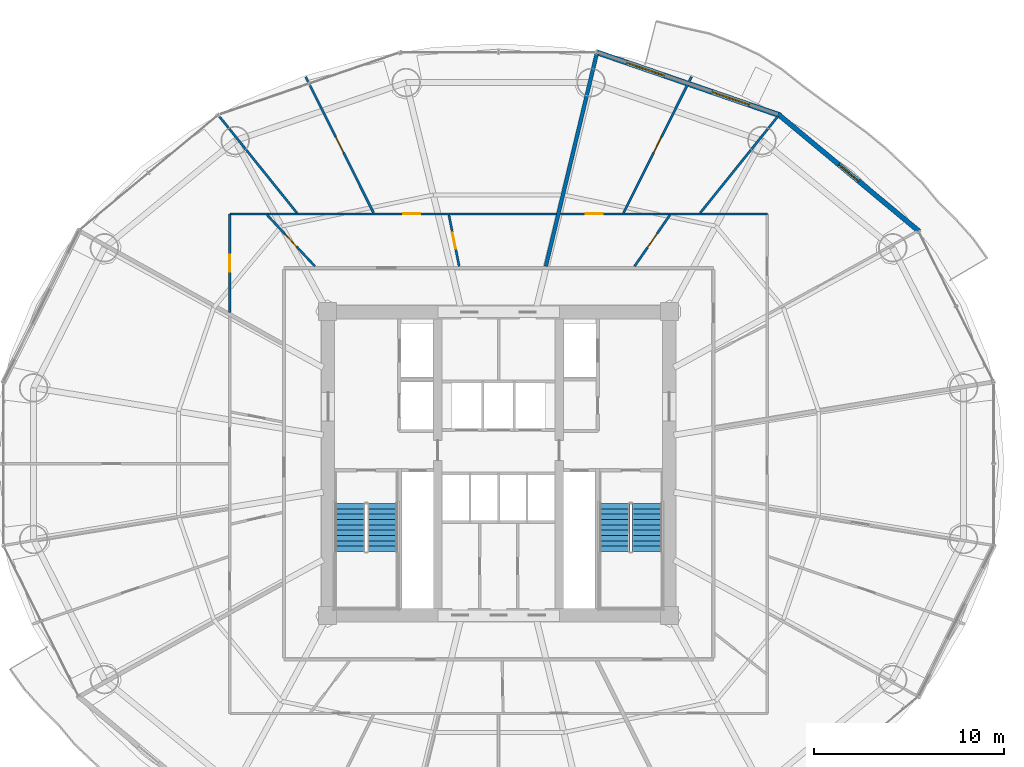
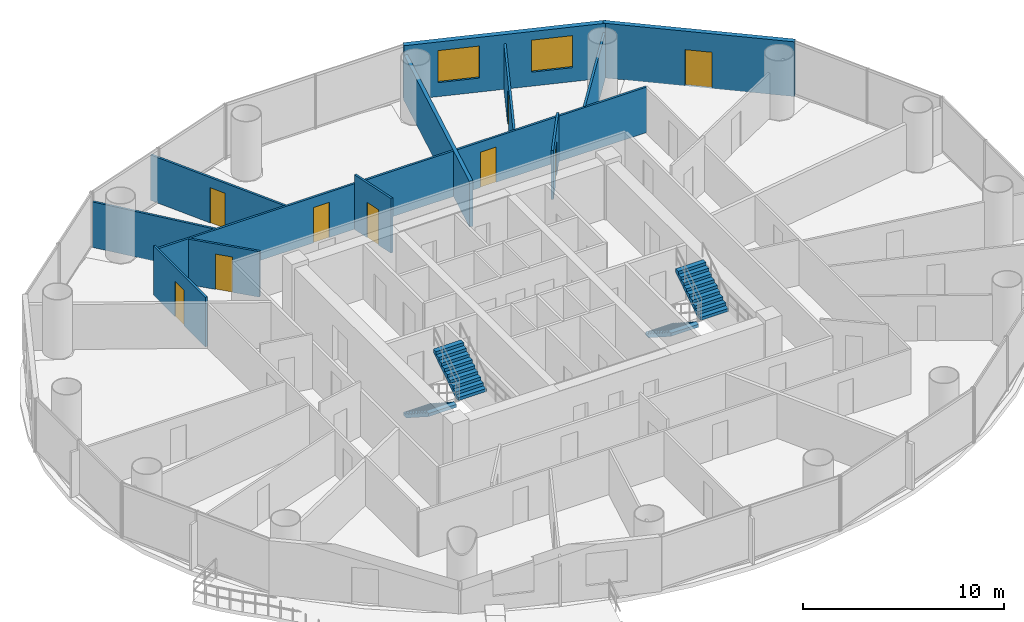
# One storey, part 24 of 28: 13 walls, 9 doors, 4 stair flights, 2 windows, 11 openings, 2 elements without a shape of their own.
"""IFC4 building model written with IfcOpenShell, lengths in metres."""

from ifc_helpers import new_model, si_unit, direction, frame, frame_2d, origin, place, context, subcontext, project, spatial, polyline, rectangle, outline, extrude, source, transform, mapped, material, layer, layer_set, type_object, element, fill, aggregate, save


model = new_model("IFC4")

# Units and contexts
model_context = context("Model", 3, precision=1e-05, world=origin(), true_north=direction((-0.2419218956, 0.970295726276)))
body_context = subcontext(model_context, "Body", "Model", "MODEL_VIEW")
ifc_project = project(units=[si_unit("LENGTHUNIT", "METRE"), si_unit("AREAUNIT", "SQUARE_METRE"), si_unit("VOLUMEUNIT", "CUBIC_METRE"), si_unit("PLANEANGLEUNIT", "RADIAN"), si_unit("MASSUNIT", "GRAM", prefix="KILO")], contexts=[model_context])

# Site, building, storey
site_placement = place(None, origin())
site = spatial("IfcSite", under=ifc_project, at=site_placement, CompositionType="ELEMENT")
building_placement = place(site_placement, origin())
building = spatial("IfcBuilding", under=site, at=building_placement, Name="Cobrevalo Terracotta Tower", CompositionType="ELEMENT")
storey_placement = place(building_placement, frame((0.0, 0.0, 105.0)))
storey = spatial("IfcBuildingStorey", under=building, at=storey_placement, Name="L27", CompositionType="ELEMENT", Elevation=105.0)

# Wall
ifc_material_1 = material(Name="Autoclaved aerated concrete block", Category="concrete")
ifc_layer_1 = layer(ifc_material_1, 0.199951171875)
ifc_layer_set_1 = layer_set([ifc_layer_1], Name="Autoclaved aerated concrete block")
wall_type_1 = type_object("IfcWallType", Name="Fire-rated stair, shaft & demising masonry wall 200 mm", PredefinedType="PARTITIONING", material=ifc_layer_set_1)
wall_1_placement = place(storey_placement, frame((40.486328125, 37.18505859375, 0.0), z_axis=(0.0, 0.0, 1.0), x_axis=(0.232834224261, 0.972516438942, 0.0)))
element("IfcWall", 1, at=wall_1_placement, inside=storey, type_object=wall_type_1, Name="L27 interior partition IW-L27-DEM-2", PredefinedType="PARTITIONING", context=body_context, shape_type="SweptSolid", body=[
    extrude(rectangle(XDim=11.501708984375, YDim=0.199951171875, at=frame_2d((5.7509765625, 0.0))), origin(), (0.0, 0.0, 1.0), 2.76708984375),
])

# Wall, openings, windows
ifc_layer_2 = layer(ifc_material_1, 0.280029296875)
ifc_layer_set_2 = layer_set([ifc_layer_2], Name="Autoclaved aerated concrete block")
wall_type_2 = type_object("IfcWallType", Name="Insulated tower spandrel & pier wall 280 mm with terracotta rainscreen", PredefinedType="SOLIDWALL", material=ifc_layer_set_2)
wall_2_placement = place(storey_placement, frame((52.837158203125, 45.12451171875, 0.0), z_axis=(0.0, 0.0, 1.0), x_axis=(-0.945597432299, 0.325339047809, 0.0)))
wall_2 = element("IfcWall", 2, at=wall_2_placement, inside=storey, type_object=wall_type_2, Name="L27 terracotta rainscreen pier wall S03", PredefinedType="SOLIDWALL", context=body_context, shape_type="SweptSolid", body=[
    extrude(rectangle(XDim=10.2890625, YDim=0.280029296875, at=frame_2d((5.14453125, 0.0))), origin(), (0.0, 0.0, 1.0), 3.324951171875),
])
opening_1_placement = place(wall_2_placement, frame((1.72802734375, 0.0, 0.85009765625)))
opening_1 = element("IfcOpeningElement", 3, at=opening_1_placement, cuts=wall_2, Name="Opening WN-10", PredefinedType="OPENING", context=body_context, shape_type="SweptSolid", body=[
    extrude(rectangle(XDim=2.10009765625, YDim=1.949951171875, at=frame_2d((1.050048828125, 0.97509765625))), frame((0.0, 0.14990234375, 0.0), z_axis=(0.0, -1.0, 0.0), x_axis=(1.0, 0.0, 0.0)), (0.0, 0.0, 1.0), 0.300048828125),
])
opening_2_placement = place(wall_2_placement, frame((6.4609375, 0.0, 0.85009765625)))
opening_2 = element("IfcOpeningElement", 4, at=opening_2_placement, cuts=wall_2, Name="Opening WN-10", PredefinedType="OPENING", context=body_context, shape_type="SweptSolid", body=[
    extrude(rectangle(XDim=2.10009765625, YDim=1.949951171875, at=frame_2d((1.050048828125, 0.97509765625))), frame((0.0, 0.14990234375, 0.0), z_axis=(0.0, -1.0, 0.0), x_axis=(1.0, 0.0, 0.0)), (0.0, 0.0, 1.0), 0.300048828125),
])
ifc_material_2 = material(Name="Solar-control low-E double glazing", Category="glass")
window_type = type_object("IfcWindowType", Name="Wide panoramic low-E aluminium window 2100x1950", PartitioningType="SINGLE_PANEL", PredefinedType="WINDOW", material=ifc_material_2)
shared_shape_1 = source(origin(), body_context, "Body", "SweptSolid", [
    extrude(rectangle(XDim=2.10009765625, YDim=1.949951171875, at=frame_2d((1.050048828125, 0.97509765625))), frame((0.0, 0.030029296875, 0.0), z_axis=(0.0, -1.0, 0.0), x_axis=(1.0, 0.0, 0.0)), (0.0, 0.0, 1.0), 0.06005859375),
])
window_1_placement = place(opening_1_placement, origin())
window_1 = element("IfcWindow", 5, at=window_1_placement, inside=storey, type_object=window_type, Name="L27 suite window S03A", OverallHeight=1.949951171875, OverallWidth=2.10009765625, PartitioningType="SINGLE_PANEL", PredefinedType="WINDOW", context=body_context, shape_type="MappedRepresentation", body=[
    mapped(shared_shape_1, transform((0.0, 0.0, 0.0), scale=1.0)),
])
fill(opening_1, window_1)
window_2_placement = place(opening_2_placement, origin())
window_2 = element("IfcWindow", 6, at=window_2_placement, inside=storey, type_object=window_type, Name="L27 suite window S03B", OverallHeight=1.949951171875, OverallWidth=2.10009765625, PartitioningType="SINGLE_PANEL", PredefinedType="WINDOW", context=body_context, shape_type="MappedRepresentation", body=[
    mapped(shared_shape_1, transform((0.0, 0.0, 0.0), scale=1.0)),
])
fill(opening_2, window_2)

# Wall, opening, door
ifc_layer_3 = layer(ifc_material_1, 0.260009765625)
ifc_layer_set_3 = layer_set([ifc_layer_3], Name="Autoclaved aerated concrete block")
wall_type_3 = type_object("IfcWallType", Name="Recessed balcony loggia insulated exterior wall 260 mm", PredefinedType="SOLIDWALL", material=ifc_layer_set_3)
wall_3_placement = place(storey_placement, frame((60.15380859375, 39.01025390625, 0.0), z_axis=(0.0, 0.0, 1.0), x_axis=(-0.769242574941, 0.638956853706, 0.0)))
wall_3 = element("IfcWall", 7, at=wall_3_placement, inside=storey, type_object=wall_type_3, Name="L27 balcony loggia wall S02", PredefinedType="SOLIDWALL", context=body_context, shape_type="SweptSolid", body=[
    extrude(rectangle(XDim=9.68994140625, YDim=0.260009765625, at=frame_2d((4.844970703125, 0.0))), origin(), (0.0, 0.0, 1.0), 3.324951171875),
])
opening_3_placement = place(wall_3_placement, frame((4.169921875, 0.0, 0.0)))
opening_3 = element("IfcOpeningElement", 8, at=opening_3_placement, cuts=wall_3, Name="Opening ED-05", PredefinedType="OPENING", context=body_context, shape_type="SweptSolid", body=[
    extrude(rectangle(XDim=1.35009765625, YDim=2.199951171875, at=frame_2d((0.675048828125, 1.10009765625))), frame((0.0, 0.14013671875, 0.0), z_axis=(0.0, -1.0, 0.0), x_axis=(1.0, 0.0, 0.0)), (0.0, 0.0, 1.0), 0.280029296875),
])
ifc_material_3 = material(Name="Anodized aluminium and laminated glass", Category="aluminium")
door_type_1 = type_object("IfcDoorType", Name="Suite balcony acoustic glazed terrace door 1350x2200", OperationType="NOTDEFINED", PredefinedType="DOOR", material=ifc_material_3)
shared_shape_2 = source(origin(), body_context, "Body", "SweptSolid", [
    extrude(rectangle(XDim=1.35009765625, YDim=2.199951171875, at=frame_2d((0.675048828125, 1.10009765625))), frame((0.0, 0.02490234375, 0.0), z_axis=(0.0, -1.0, 0.0), x_axis=(1.0, 0.0, 0.0)), (0.0, 0.0, 1.0), 0.050048828125),
])
door_1_placement = place(opening_3_placement, frame((1.35009765625, 0.0, 0.0), z_axis=(0.0, 0.0, 1.0), x_axis=(-1.0, 0.0, 0.0)))
door_1 = element("IfcDoor", 9, at=door_1_placement, inside=storey, type_object=door_type_1, Name="L27 glazed balcony terrace door 1", OperationType="SINGLE_SWING_LEFT", OverallHeight=2.199951171875, OverallWidth=1.35009765625, PredefinedType="DOOR", context=body_context, shape_type="MappedRepresentation", body=[
    mapped(shared_shape_2, transform((0.0, 0.0, 0.0), scale=1.0)),
])
fill(opening_3, door_1)

ifc_material_4 = material(Name="Gypsum board on steel stud", Category="steel")
ifc_layer_4 = layer(ifc_material_4, 0.1201171875)
ifc_layer_set_4 = layer_set([ifc_layer_4], Name="Gypsum board on steel stud")
wall_type_4 = type_object("IfcWallType", Name="Residential internal acoustic stud partition 120 mm", PredefinedType="PARTITIONING", material=ifc_layer_set_4)
wall_4_placement = place(storey_placement, frame((41.2490234375, 39.945068359375, 0.0), z_axis=(0.0, 0.0, 1.0), x_axis=(1.0, 0.0, 0.0)))
wall_4 = element("IfcWall", 10, at=wall_4_placement, inside=storey, type_object=wall_type_4, Name="L27 interior partition IW-L27-U1-RING0_0", PredefinedType="PARTITIONING", context=body_context, shape_type="SweptSolid", body=[
    extrude(rectangle(XDim=10.89599609375, YDim=0.1201171875, at=frame_2d((5.447998046875, 0.0))), origin(), (0.0, 0.0, 1.0), 2.76708984375),
])
opening_4_placement = place(wall_4_placement, frame((1.336181640625, 0.0, 0.0)))
opening_4 = element("IfcOpeningElement", 11, at=opening_4_placement, cuts=wall_4, Name="Opening ID-12", PredefinedType="OPENING", context=body_context, shape_type="SweptSolid", body=[
    extrude(rectangle(XDim=0.89990234375, YDim=2.14990234375, at=frame_2d((0.449951171875, 1.074951171875))), frame((0.0, 0.070068359375, 0.0), z_axis=(0.0, -1.0, 0.0), x_axis=(1.0, 0.0, 0.0)), (0.0, 0.0, 1.0), 0.14013671875),
])
ifc_material_5 = material(Name="Engineered timber", Category="wood")
door_type_2 = type_object("IfcDoorType", Name="Internal residence & suite timber door 900x2150", OperationType="NOTDEFINED", PredefinedType="DOOR", material=ifc_material_5)
shared_shape_3 = source(origin(), body_context, "Body", "SweptSolid", [
    extrude(rectangle(XDim=0.89990234375, YDim=2.14990234375, at=frame_2d((0.449951171875, 1.074951171875))), frame((0.0, 0.02490234375, 0.0), z_axis=(0.0, -1.0, 0.0), x_axis=(1.0, 0.0, 0.0)), (0.0, 0.0, 1.0), 0.050048828125),
])
door_2_placement = place(opening_4_placement, origin())
door_2 = element("IfcDoor", 12, at=door_2_placement, inside=storey, type_object=door_type_2, Name="Flat L27A Penthouse Family Lounge internal door", OperationType="SINGLE_SWING_LEFT", OverallHeight=2.14990234375, OverallWidth=0.89990234375, PredefinedType="DOOR", context=body_context, shape_type="MappedRepresentation", body=[
    mapped(shared_shape_3, transform((0.0, 0.0, 0.0), scale=1.0)),
])
fill(opening_4, door_2)

# Wall
wall_5_placement = place(storey_placement, frame((48.610595703125, 39.993408203125, 0.0), z_axis=(0.0, 0.0, 1.0), x_axis=(0.626719700294, 0.779244773651, 0.0)))
element("IfcWall", 13, at=wall_5_placement, inside=storey, type_object=wall_type_4, Name="L27 interior partition IW-L27-U1-ORAD2", PredefinedType="PARTITIONING", context=body_context, shape_type="SweptSolid", body=[
    extrude(rectangle(XDim=6.537109375, YDim=0.1201171875, at=frame_2d((3.2685546875, 0.0))), origin(), (0.0, 0.0, 1.0), 2.76708984375),
])

# Wall, opening, door
wall_6_placement = place(storey_placement, frame((44.5810546875, 40.00048828125, 0.0), z_axis=(0.0, 0.0, 1.0), x_axis=(0.446188142997, 0.894939182877, 0.0)))
wall_6 = element("IfcWall", 14, at=wall_6_placement, inside=storey, type_object=wall_type_4, Name="L27 interior partition IW-L27-U1-ORAD3M1", PredefinedType="PARTITIONING", context=body_context, shape_type="SweptSolid", body=[
    extrude(rectangle(XDim=8.001708984375, YDim=0.1201171875, at=frame_2d((4.0009765625, 0.0))), origin(), (0.0, 0.0, 1.0), 2.76708984375),
])
opening_5_placement = place(wall_6_placement, frame((3.55078125, 0.0, 0.0)))
opening_5 = element("IfcOpeningElement", 15, at=opening_5_placement, cuts=wall_6, Name="Opening ID-12", PredefinedType="OPENING", context=body_context, shape_type="SweptSolid", body=[
    extrude(rectangle(XDim=0.89990234375, YDim=2.14990234375, at=frame_2d((0.449951171875, 1.074951171875))), frame((0.0, 0.070068359375, 0.0), z_axis=(0.0, -1.0, 0.0), x_axis=(1.0, 0.0, 0.0)), (0.0, 0.0, 1.0), 0.14013671875),
])
door_3_placement = place(opening_5_placement, frame((0.89990234375, 0.0, 0.0), z_axis=(0.0, 0.0, 1.0), x_axis=(-1.0, 0.0, 0.0)))
door_3 = element("IfcDoor", 16, at=door_3_placement, inside=storey, type_object=door_type_2, Name="Flat L27A Principal Guest Bedroom internal door", OperationType="SINGLE_SWING_LEFT", OverallHeight=2.14990234375, OverallWidth=0.89990234375, PredefinedType="DOOR", context=body_context, shape_type="MappedRepresentation", body=[
    mapped(shared_shape_3, transform((0.0, 0.0, 0.0), scale=1.0)),
])
fill(opening_5, door_3)

wall_7_placement = place(storey_placement, frame((45.1552734375, 37.18505859375, 0.0), z_axis=(0.0, 0.0, 1.0), x_axis=(0.567360037454, 0.823469846382, 0.0)))
wall_7 = element("IfcWall", 17, at=wall_7_placement, inside=storey, type_object=wall_type_4, Name="L27 interior partition IW-L27-U1-IRAD2", PredefinedType="PARTITIONING", context=body_context, shape_type="SweptSolid", body=[
    extrude(rectangle(XDim=3.289794921875, YDim=0.1201171875, at=frame_2d((1.64501953125, 0.0))), origin(), (0.0, 0.0, 1.0), 3.00390625),
])
opening_6_placement = place(wall_7_placement, frame((1.19482421875, 0.0, 0.0)))
opening_6 = element("IfcOpeningElement", 18, at=opening_6_placement, cuts=wall_7, Name="Opening ID-12", PredefinedType="OPENING", context=body_context, shape_type="SweptSolid", body=[
    extrude(rectangle(XDim=0.89990234375, YDim=2.14990234375, at=frame_2d((0.449951171875, 1.074951171875))), frame((0.0, 0.070068359375, 0.0), z_axis=(0.0, -1.0, 0.0), x_axis=(1.0, 0.0, 0.0)), (0.0, 0.0, 1.0), 0.14013671875),
])
door_4_placement = place(opening_6_placement, origin())
door_4 = element("IfcDoor", 19, at=door_4_placement, inside=storey, type_object=door_type_2, Name="Flat L27A Kitchen internal door", OperationType="SINGLE_SWING_RIGHT", OverallHeight=2.14990234375, OverallWidth=0.89990234375, PredefinedType="DOOR", context=body_context, shape_type="MappedRepresentation", body=[
    mapped(shared_shape_3, transform((0.0, 0.0, 0.0), scale=1.0)),
])
fill(opening_6, door_4)

wall_8_placement = place(storey_placement, frame((23.85498046875, 34.75439453125, 0.0), z_axis=(0.0, 0.0, 1.0), x_axis=(0.0, 1.0, 0.0)))
wall_8 = element("IfcWall", 20, at=wall_8_placement, inside=storey, type_object=wall_type_4, Name="L27 interior partition IW-L27-U2-RING0_0", PredefinedType="PARTITIONING", context=body_context, shape_type="SweptSolid", body=[
    extrude(rectangle(XDim=5.190673828125, YDim=0.1201171875, at=frame_2d((2.59521484375, 0.0))), origin(), (0.0, 0.0, 1.0), 3.00390625),
])
opening_7_placement = place(wall_8_placement, frame((2.145263671875, 0.0, 0.0)))
opening_7 = element("IfcOpeningElement", 21, at=opening_7_placement, cuts=wall_8, Name="Opening ID-12", PredefinedType="OPENING", context=body_context, shape_type="SweptSolid", body=[
    extrude(rectangle(XDim=0.89990234375, YDim=2.14990234375, at=frame_2d((0.449951171875, 1.074951171875))), frame((0.0, 0.070068359375, 0.0), z_axis=(0.0, -1.0, 0.0), x_axis=(1.0, 0.0, 0.0)), (0.0, 0.0, 1.0), 0.14013671875),
])
door_5_placement = place(opening_7_placement, origin())
door_5 = element("IfcDoor", 22, at=door_5_placement, inside=storey, type_object=door_type_2, Name="Flat L27B Principal Guest Bedroom internal door", OperationType="SINGLE_SWING_RIGHT", OverallHeight=2.14990234375, OverallWidth=0.89990234375, PredefinedType="DOOR", context=body_context, shape_type="MappedRepresentation", body=[
    mapped(shared_shape_3, transform((0.0, 0.0, 0.0), scale=1.0)),
])
fill(opening_7, door_5)

wall_9_placement = place(storey_placement, frame((23.85498046875, 39.945068359375, 0.0), z_axis=(0.0, 0.0, 1.0), x_axis=(1.0, 0.0, 0.0)))
wall_9 = element("IfcWall", 23, at=wall_9_placement, inside=storey, type_object=wall_type_4, Name="L27 interior partition IW-L27-U2-RING1_0", PredefinedType="PARTITIONING", context=body_context, shape_type="SweptSolid", body=[
    extrude(rectangle(XDim=17.190185546875, YDim=0.1201171875, at=frame_2d((8.59521484375, 0.0))), origin(), (0.0, 0.0, 1.0), 2.76708984375),
])
opening_8_placement = place(wall_9_placement, frame((9.133056640625, 0.0, 0.0)))
opening_8 = element("IfcOpeningElement", 24, at=opening_8_placement, cuts=wall_9, Name="Opening ID-12", PredefinedType="OPENING", context=body_context, shape_type="SweptSolid", body=[
    extrude(rectangle(XDim=0.89990234375, YDim=2.14990234375, at=frame_2d((0.449951171875, 1.074951171875))), frame((0.0, 0.070068359375, 0.0), z_axis=(0.0, -1.0, 0.0), x_axis=(1.0, 0.0, 0.0)), (0.0, 0.0, 1.0), 0.14013671875),
])
door_6_placement = place(opening_8_placement, origin())
door_6 = element("IfcDoor", 25, at=door_6_placement, inside=storey, type_object=door_type_2, Name="Flat L27B Penthouse Living and Dining Room internal door", OperationType="SINGLE_SWING_LEFT", OverallHeight=2.14990234375, OverallWidth=0.89990234375, PredefinedType="DOOR", context=body_context, shape_type="MappedRepresentation", body=[
    mapped(shared_shape_3, transform((0.0, 0.0, 0.0), scale=1.0)),
])
fill(opening_8, door_6)

wall_10_placement = place(storey_placement, frame((31.4189453125, 40.00048828125, 0.0), z_axis=(0.0, 0.0, 1.0), x_axis=(-0.446188142997, 0.894939182877, 0.0)))
wall_10 = element("IfcWall", 26, at=wall_10_placement, inside=storey, type_object=wall_type_4, Name="L27 interior partition IW-L27-U2-ORAD1", PredefinedType="PARTITIONING", context=body_context, shape_type="SweptSolid", body=[
    extrude(rectangle(XDim=8.001708984375, YDim=0.1201171875, at=frame_2d((4.0009765625, 0.0))), origin(), (0.0, 0.0, 1.0), 2.76708984375),
])
opening_9_placement = place(wall_10_placement, frame((3.55078125, 0.0, 0.0)))
opening_9 = element("IfcOpeningElement", 27, at=opening_9_placement, cuts=wall_10, Name="Opening ID-12", PredefinedType="OPENING", context=body_context, shape_type="SweptSolid", body=[
    extrude(rectangle(XDim=0.89990234375, YDim=2.14990234375, at=frame_2d((0.449951171875, 1.074951171875))), frame((0.0, 0.070068359375, 0.0), z_axis=(0.0, -1.0, 0.0), x_axis=(1.0, 0.0, 0.0)), (0.0, 0.0, 1.0), 0.14013671875),
])
door_7_placement = place(opening_9_placement, origin())
door_7 = element("IfcDoor", 28, at=door_7_placement, inside=storey, type_object=door_type_2, Name="Flat L27B Master Bedroom internal door", OperationType="SINGLE_SWING_LEFT", OverallHeight=2.14990234375, OverallWidth=0.89990234375, PredefinedType="DOOR", context=body_context, shape_type="MappedRepresentation", body=[
    mapped(shared_shape_3, transform((0.0, 0.0, 0.0), scale=1.0)),
])
fill(opening_9, door_7)

# Wall
wall_11_placement = place(storey_placement, frame((27.389404296875, 39.993408203125, 0.0), z_axis=(0.0, 0.0, 1.0), x_axis=(-0.626719700294, 0.779244773651, 0.0)))
element("IfcWall", 29, at=wall_11_placement, inside=storey, type_object=wall_type_4, Name="L27 interior partition IW-L27-U2-ORAD2", PredefinedType="PARTITIONING", context=body_context, shape_type="SweptSolid", body=[
    extrude(rectangle(XDim=6.537109375, YDim=0.1201171875, at=frame_2d((3.2685546875, 0.0))), origin(), (0.0, 0.0, 1.0), 2.76708984375),
])

# Wall, opening, door
wall_12_placement = place(storey_placement, frame((35.924560546875, 37.18505859375, 0.0), z_axis=(0.0, 0.0, 1.0), x_axis=(-0.196013794811, 0.980601138202, 0.0)))
wall_12 = element("IfcWall", 30, at=wall_12_placement, inside=storey, type_object=wall_type_4, Name="L27 interior partition IW-L27-U2-IRAD1", PredefinedType="PARTITIONING", context=body_context, shape_type="SweptSolid", body=[
    extrude(rectangle(XDim=2.752685546875, YDim=0.1201171875, at=frame_2d((1.37646484375, 0.0))), origin(), (0.0, 0.0, 1.0), 3.324951171875),
])
opening_10_placement = place(wall_12_placement, frame((0.9462890625, 0.0, 0.0)))
opening_10 = element("IfcOpeningElement", 31, at=opening_10_placement, cuts=wall_12, Name="Opening ID-19", PredefinedType="OPENING", context=body_context, shape_type="SweptSolid", body=[
    extrude(rectangle(XDim=0.860107421875, YDim=2.14990234375, at=frame_2d((0.43017578125, 1.074951171875))), frame((0.0, 0.070068359375, 0.0), z_axis=(0.0, -1.0, 0.0), x_axis=(1.0, 0.0, 0.0)), (0.0, 0.0, 1.0), 0.14013671875),
])
ifc_material_6 = material(Name="Moisture-sealed timber", Category="wood")
door_type_3 = type_object("IfcDoorType", Name="Suite bathroom internal timber door 860x2150", OperationType="NOTDEFINED", PredefinedType="DOOR", material=ifc_material_6)
shared_shape_4 = source(origin(), body_context, "Body", "SweptSolid", [
    extrude(rectangle(XDim=0.860107421875, YDim=2.14990234375, at=frame_2d((0.43017578125, 1.074951171875))), frame((0.0, 0.02490234375, 0.0), z_axis=(0.0, -1.0, 0.0), x_axis=(1.0, 0.0, 0.0)), (0.0, 0.0, 1.0), 0.050048828125),
])
door_8_placement = place(opening_10_placement, frame((0.860107421875, 0.0, 0.0), z_axis=(0.0, 0.0, 1.0), x_axis=(-1.0, 0.0, 0.0)))
door_8 = element("IfcDoor", 32, at=door_8_placement, inside=storey, type_object=door_type_3, Name="Flat L27B Primary Bathroom internal door", OperationType="SINGLE_SWING_RIGHT", OverallHeight=2.14990234375, OverallWidth=0.860107421875, PredefinedType="DOOR", context=body_context, shape_type="MappedRepresentation", body=[
    mapped(shared_shape_4, transform((0.0, 0.0, 0.0), scale=1.0)),
])
fill(opening_10, door_8)

wall_13_placement = place(storey_placement, frame((28.335205078125, 37.18505859375, 0.0), z_axis=(0.0, 0.0, 1.0), x_axis=(-0.681236086606, 0.732063791145, 0.0)))
wall_13 = element("IfcWall", 33, at=wall_13_placement, inside=storey, type_object=wall_type_4, Name="L27 interior partition IW-L27-U2-IRAD2", PredefinedType="PARTITIONING", context=body_context, shape_type="SweptSolid", body=[
    extrude(rectangle(XDim=3.708251953125, YDim=0.1201171875, at=frame_2d((1.85400390625, 0.0))), origin(), (0.0, 0.0, 1.0), 2.76708984375),
])
opening_11_placement = place(wall_13_placement, frame((1.404052734375, 0.0, 0.0)))
opening_11 = element("IfcOpeningElement", 34, at=opening_11_placement, cuts=wall_13, Name="Opening ID-12", PredefinedType="OPENING", context=body_context, shape_type="SweptSolid", body=[
    extrude(rectangle(XDim=0.89990234375, YDim=2.14990234375, at=frame_2d((0.449951171875, 1.074951171875))), frame((0.0, 0.070068359375, 0.0), z_axis=(0.0, -1.0, 0.0), x_axis=(1.0, 0.0, 0.0)), (0.0, 0.0, 1.0), 0.14013671875),
])
door_9_placement = place(opening_11_placement, origin())
door_9 = element("IfcDoor", 35, at=door_9_placement, inside=storey, type_object=door_type_2, Name="Flat L27B Kitchen internal door", OperationType="SINGLE_SWING_RIGHT", OverallHeight=2.14990234375, OverallWidth=0.89990234375, PredefinedType="DOOR", context=body_context, shape_type="MappedRepresentation", body=[
    mapped(shared_shape_3, transform((0.0, 0.0, 0.0), scale=1.0)),
])
fill(opening_11, door_9)

# Stair, stair flights
ifc_material_7 = material(Name="Concrete C50", Category="concrete")
stair_type = type_object("IfcStairType", Name="Core protected escape dogleg stair 1600", PredefinedType="HALF_TURN_STAIR", material=ifc_material_7)
stair_1_placement = place(storey_placement, origin())
stair_1 = element("IfcStair", 36, at=stair_1_placement, inside=storey, type_object=stair_type, Name="L27 Protected exit stair ST-1", PredefinedType="HALF_TURN_STAIR")
stair_flight_type = type_object("IfcStairFlightType", Name="Core protected escape dogleg stair 1600 flight", PredefinedType="STRAIGHT", material=ifc_material_7)
stair_flight_1_placement = place(storey_placement, frame((30.175048828125, 24.699951171875, 0.0), z_axis=(0.0, 0.0, 1.0), x_axis=(0.0, -1.0, 0.0)))
stair_flight_1 = element("IfcStairFlight", 37, at=stair_flight_1_placement, type_object=stair_flight_type, Name="ST-1 flight 1", NumberOfRisers=10, NumberOfTreads=9, PredefinedType="STRAIGHT", RiserHeight=0.18, TreadLength=0.28, context=body_context, shape_type="SweptSolid", body=[
    extrude(outline(polyline([(0.0, 0.0), (0.0, 0.179931640625), (0.280029296875, 0.179931640625), (0.280029296875, 0.360107421875), (0.56005859375, 0.360107421875), (0.56005859375, 0.5400390625), (0.840087890625, 0.5400390625), (0.840087890625, 0.719970703125), (1.1201171875, 0.719970703125), (1.1201171875, 0.89990234375), (1.39990234375, 0.89990234375), (1.39990234375, 1.080078125), (1.679931640625, 1.080078125), (1.679931640625, 1.260009765625), (1.9599609375, 1.260009765625), (1.9599609375, 1.43994140625), (2.239990234375, 1.43994140625), (2.239990234375, 1.6201171875), (2.52001953125, 1.6201171875), (2.52001953125, 1.800048828125), (2.52001953125, 1.429931640625), (0.295654296875, 0.0), (0.0, 0.0)])), frame((0.0, 0.800048828125, 0.0), z_axis=(0.0, -1.0, 0.0), x_axis=(1.0, 0.0, 0.0)), (0.0, 0.0, 1.0), 1.60009765625),
])
stair_flight_2_placement = place(storey_placement, frame((31.89501953125, 22.179931640625, 1.800048828125), z_axis=(0.0, 0.0, 1.0), x_axis=(0.0, 1.0, 0.0)))
stair_flight_2 = element("IfcStairFlight", 38, at=stair_flight_2_placement, type_object=stair_flight_type, Name="ST-1 flight 2", NumberOfRisers=10, NumberOfTreads=9, PredefinedType="STRAIGHT", RiserHeight=0.18, TreadLength=0.28, context=body_context, shape_type="SweptSolid", body=[
    extrude(outline(polyline([(0.0, 0.0), (0.0, 0.179931640625), (0.280029296875, 0.179931640625), (0.280029296875, 0.360107421875), (0.56005859375, 0.360107421875), (0.56005859375, 0.5400390625), (0.840087890625, 0.5400390625), (0.840087890625, 0.719970703125), (1.1201171875, 0.719970703125), (1.1201171875, 0.89990234375), (1.39990234375, 0.89990234375), (1.39990234375, 1.080078125), (1.679931640625, 1.080078125), (1.679931640625, 1.260009765625), (1.9599609375, 1.260009765625), (1.9599609375, 1.43994140625), (2.239990234375, 1.43994140625), (2.239990234375, 1.6201171875), (2.52001953125, 1.6201171875), (2.52001953125, 1.800048828125), (2.52001953125, 1.429931640625), (0.295654296875, 0.0), (0.0, 0.0)])), frame((0.0, 0.800048828125, 0.0), z_axis=(0.0, -1.0, 0.0), x_axis=(1.0, 0.0, 0.0)), (0.0, 0.0, 1.0), 1.60009765625),
])
aggregate(stair_1, [stair_flight_1, stair_flight_2])

stair_2_placement = place(storey_placement, origin())
stair_2 = element("IfcStair", 39, at=stair_2_placement, inside=storey, type_object=stair_type, Name="L27 Protected exit stair ST-2", PredefinedType="HALF_TURN_STAIR")
stair_flight_3_placement = place(storey_placement, frame((44.10498046875, 24.699951171875, 0.0), z_axis=(0.0, 0.0, 1.0), x_axis=(0.0, -1.0, 0.0)))
stair_flight_3 = element("IfcStairFlight", 40, at=stair_flight_3_placement, type_object=stair_flight_type, Name="ST-2 flight 1", NumberOfRisers=10, NumberOfTreads=9, PredefinedType="STRAIGHT", RiserHeight=0.18, TreadLength=0.28, context=body_context, shape_type="SweptSolid", body=[
    extrude(outline(polyline([(0.0, 0.0), (0.0, 0.179931640625), (0.280029296875, 0.179931640625), (0.280029296875, 0.360107421875), (0.56005859375, 0.360107421875), (0.56005859375, 0.5400390625), (0.840087890625, 0.5400390625), (0.840087890625, 0.719970703125), (1.1201171875, 0.719970703125), (1.1201171875, 0.89990234375), (1.39990234375, 0.89990234375), (1.39990234375, 1.080078125), (1.679931640625, 1.080078125), (1.679931640625, 1.260009765625), (1.9599609375, 1.260009765625), (1.9599609375, 1.43994140625), (2.239990234375, 1.43994140625), (2.239990234375, 1.6201171875), (2.52001953125, 1.6201171875), (2.52001953125, 1.800048828125), (2.52001953125, 1.429931640625), (0.295654296875, 0.0), (0.0, 0.0)])), frame((0.0, 0.800048828125, 0.0), z_axis=(0.0, -1.0, 0.0), x_axis=(1.0, 0.0, 0.0)), (0.0, 0.0, 1.0), 1.60009765625),
])
stair_flight_4_placement = place(storey_placement, frame((45.824951171875, 22.179931640625, 1.800048828125), z_axis=(0.0, 0.0, 1.0), x_axis=(0.0, 1.0, 0.0)))
stair_flight_4 = element("IfcStairFlight", 41, at=stair_flight_4_placement, type_object=stair_flight_type, Name="ST-2 flight 2", NumberOfRisers=10, NumberOfTreads=9, PredefinedType="STRAIGHT", RiserHeight=0.18, TreadLength=0.28, context=body_context, shape_type="SweptSolid", body=[
    extrude(outline(polyline([(0.0, 0.0), (0.0, 0.179931640625), (0.280029296875, 0.179931640625), (0.280029296875, 0.360107421875), (0.56005859375, 0.360107421875), (0.56005859375, 0.5400390625), (0.840087890625, 0.5400390625), (0.840087890625, 0.719970703125), (1.1201171875, 0.719970703125), (1.1201171875, 0.89990234375), (1.39990234375, 0.89990234375), (1.39990234375, 1.080078125), (1.679931640625, 1.080078125), (1.679931640625, 1.260009765625), (1.9599609375, 1.260009765625), (1.9599609375, 1.43994140625), (2.239990234375, 1.43994140625), (2.239990234375, 1.6201171875), (2.52001953125, 1.6201171875), (2.52001953125, 1.800048828125), (2.52001953125, 1.429931640625), (0.295654296875, 0.0), (0.0, 0.0)])), frame((0.0, 0.800048828125, 0.0), z_axis=(0.0, -1.0, 0.0), x_axis=(1.0, 0.0, 0.0)), (0.0, 0.0, 1.0), 1.60009765625),
])
aggregate(stair_2, [stair_flight_3, stair_flight_4])

save(model, "model.ifc")
